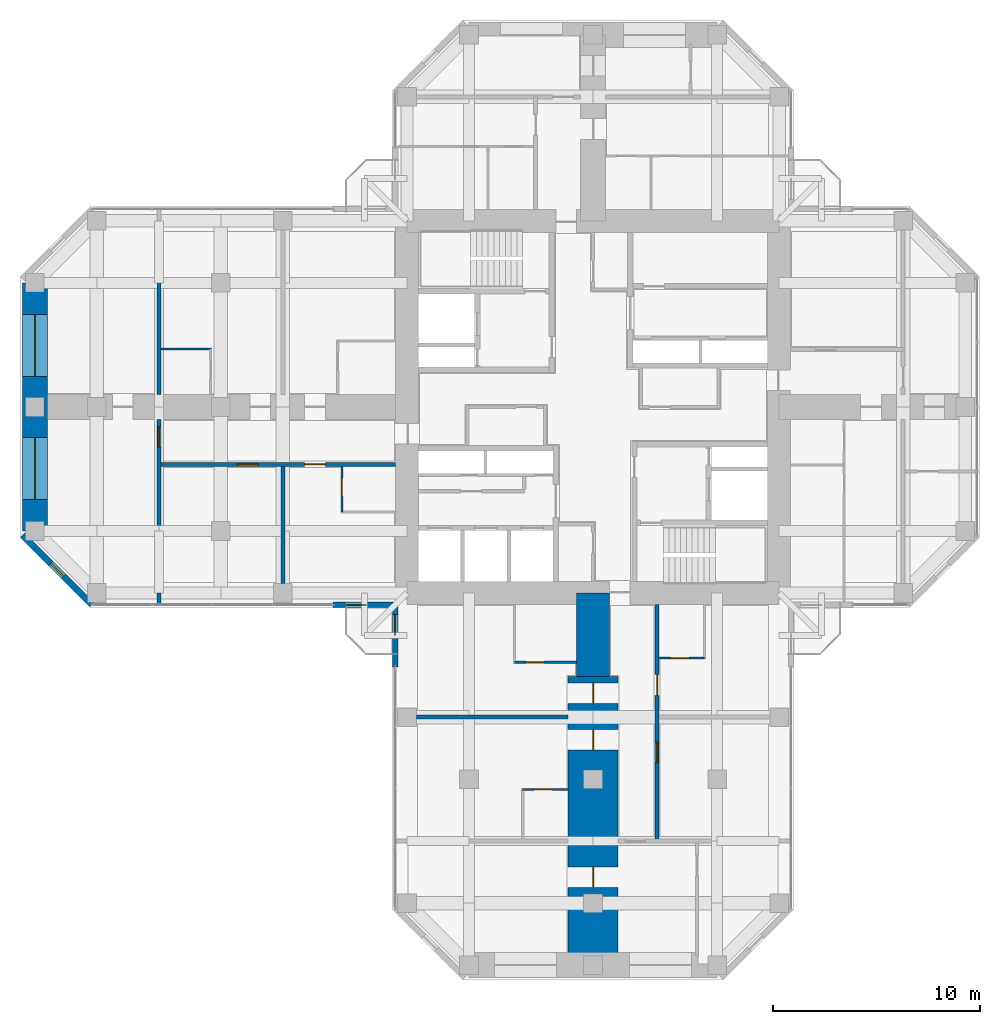
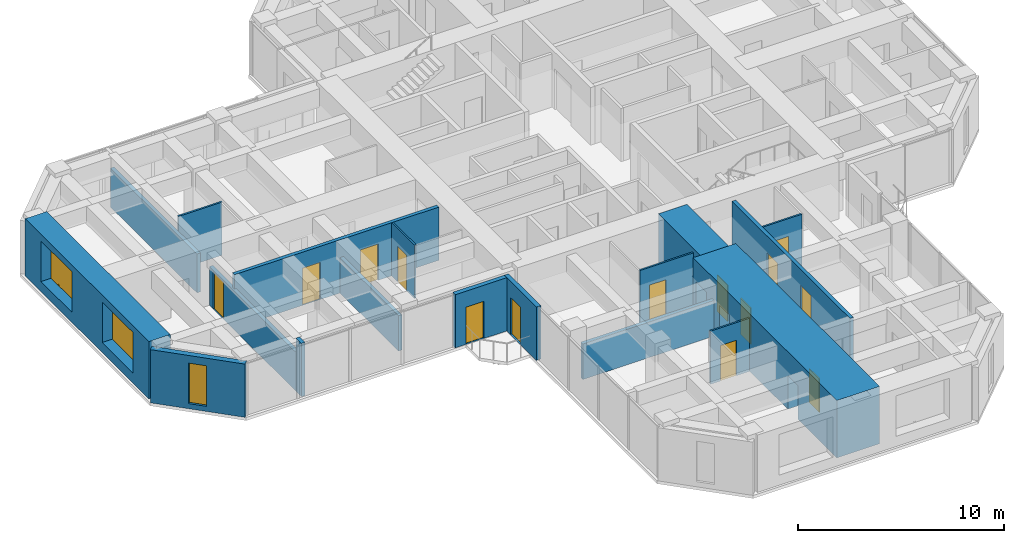
# One storey, part 8 of 14: 18 walls, 14 doors, 3 windows, 17 openings.
"""IFC4 building model written with IfcOpenShell, lengths in metres."""

import ifcopenshell
import ifcopenshell.guid

model = None  # the IFC model being written
_history = None  # IfcOwnerHistory: only IFC2X3 demands one
_inside = {}  # id of a spatial element -> (the spatial element, [elements in it])
_under = {}  # id of a project, library or spatial element -> (it, [spatial elements below it])
_declared = {}  # id of a project -> (the project, [libraries it declares])
_typed = {}  # id of a type object -> (the type object, [elements of that type])
_made_of = {}  # id of a material, layer set ... -> (it, [elements and type objects made of it])


def new_model(schema):
    """Start an empty IFC model of exactly this schema.

    Asked for "IFC4X3", IfcOpenShell would pick the latest addendum, in which some entities
    have other attributes; the version numbers below select the first issue.
    IFC2X3 requires an IfcOwnerHistory on every rooted entity: one is made here for all.
    """
    global model, _history
    if schema == "IFC4X3":
        model = ifcopenshell.file(schema_version=(4, 3, 0, 0))
    else:
        model = ifcopenshell.file(schema=schema)
    _inside.clear()
    _under.clear()
    _declared.clear()
    _typed.clear()
    _made_of.clear()
    _history = None
    if model.schema == "IFC2X3":
        org = make("IfcOrganization", Name="unknown")
        user = make(
            "IfcPersonAndOrganization",
            ThePerson=make("IfcPerson", FamilyName="unknown"),
            TheOrganization=org,
        )
        app = make(
            "IfcApplication",
            ApplicationDeveloper=org,
            Version="unknown",
            ApplicationFullName="unknown",
            ApplicationIdentifier="unknown",
        )
        _history = make(
            "IfcOwnerHistory",
            OwningUser=user,
            OwningApplication=app,
            ChangeAction="ADDED",
            CreationDate=0,
        )
    return model


def make(cls, **values):
    """One entity of the class cls with the attributes given. An attribute that is None is left unset."""
    return model.create_entity(
        cls, **{name: value for name, value in values.items() if value is not None}
    )


def rooted(cls, **values):
    """An entity with a GlobalId (a new one), such as an element, a storey or a relation."""
    return make(cls, GlobalId=ifcopenshell.guid.new(), OwnerHistory=_history, **values)


def si_unit(unit_type, name, prefix=None):
    """IfcSIUnit, for example si_unit("LENGTHUNIT", "METRE", prefix="MILLI")."""
    return make("IfcSIUnit", UnitType=unit_type, Prefix=prefix, Name=name)


def assignment(units):
    """IfcUnitAssignment: the units of a project."""
    return None if units is None else make("IfcUnitAssignment", Units=units)


def point(xyz):
    """IfcCartesianPoint."""
    return None if xyz is None else make("IfcCartesianPoint", Coordinates=xyz)


def direction(xyz):
    """IfcDirection."""
    return None if xyz is None else make("IfcDirection", DirectionRatios=xyz)


def frame(location, z_axis=None, x_axis=None):
    """IfcAxis2Placement3D, a coordinate frame: its origin and axes. An axis left out is left unset."""
    return make(
        "IfcAxis2Placement3D",
        Location=point(location),
        Axis=direction(z_axis),
        RefDirection=direction(x_axis),
    )


def frame_2d(location, x_axis=None):
    """IfcAxis2Placement2D, a coordinate frame in the plane: its origin and x axis."""
    return make(
        "IfcAxis2Placement2D", Location=point(location), RefDirection=direction(x_axis)
    )


def origin():
    """The frame at (0, 0, 0) with its axes left unset."""
    return frame((0.0, 0.0, 0.0))


def place(relative_to, where):
    """IfcLocalPlacement: puts the frame where relative to a parent placement (None: the world)."""
    return make(
        "IfcLocalPlacement", PlacementRelTo=relative_to, RelativePlacement=where
    )


def context(
    kind, dimensions, precision=None, world=None, true_north=None, identifier=None
):
    """IfcGeometricRepresentationContext, for example the 3D "Model" context."""
    return make(
        "IfcGeometricRepresentationContext",
        ContextIdentifier=identifier,
        ContextType=kind,
        CoordinateSpaceDimension=dimensions,
        Precision=precision,
        WorldCoordinateSystem=world,
        TrueNorth=true_north,
    )


def subcontext(parent, identifier, kind, view, scale=None):
    """IfcGeometricRepresentationSubContext, for example "Body" below "Model"."""
    return make(
        "IfcGeometricRepresentationSubContext",
        ContextIdentifier=identifier,
        ContextType=kind,
        ParentContext=parent,
        TargetScale=scale,
        TargetView=view,
    )


def project(units=None, contexts=None):
    """IfcProject with its units and contexts."""
    return rooted(
        "IfcProject",
        Name="project",
        RepresentationContexts=contexts,
        UnitsInContext=assignment(units),
    )


def spatial(cls, under=None, at=None, **own):
    """A site, building, storey or space (cls), placed at a placement, below another one or the project."""
    s = rooted(cls, ObjectPlacement=at, **own)
    if under is not None:
        _under.setdefault(under.id(), (under, []))[1].append(s)
    return s


def profile(cls, at=None, kind="AREA", **sizes):
    """A parametric profile (cls). Its sizes go by their IFC names, for example OverallWidth=200.0."""
    return make(cls, ProfileType=kind, Position=at, **sizes)


def rectangle(**sizes):
    """IfcRectangleProfileDef."""
    return profile("IfcRectangleProfileDef", **sizes)


def hollow_rectangle(**sizes):
    """IfcRectangleHollowProfileDef."""
    return profile("IfcRectangleHollowProfileDef", **sizes)


def extrude(swept, where, along, depth):
    """IfcExtrudedAreaSolid: the profile swept, set in the frame where, extruded along a direction by depth."""
    return make(
        "IfcExtrudedAreaSolid",
        SweptArea=swept,
        Position=where,
        ExtrudedDirection=direction(along),
        Depth=depth,
    )


def shape(context_of_items, identifier, shape_type, items):
    """IfcShapeRepresentation: the items that make up one representation, for example the "Body"."""
    return make(
        "IfcShapeRepresentation",
        ContextOfItems=context_of_items,
        RepresentationIdentifier=identifier,
        RepresentationType=shape_type,
        Items=items,
    )


def material(Name=None, Category=None):
    """IfcMaterial."""
    return make("IfcMaterial", Name=Name, Category=Category)


def layer(
    of_material, thickness, ventilated=None, Name=None, Category=None, Priority=None
):
    """IfcMaterialLayer: one layer of a wall or slab, of a material (None: an air gap)."""
    return make(
        "IfcMaterialLayer",
        Material=of_material,
        LayerThickness=thickness,
        IsVentilated=ventilated,
        Name=Name,
        Category=Category,
        Priority=Priority,
    )


def layer_set(layers, Name=None):
    """IfcMaterialLayerSet."""
    return make("IfcMaterialLayerSet", MaterialLayers=layers, LayerSetName=Name)


def constituent(of_material, Name=None, Category=None, fraction=None):
    """IfcMaterialConstituent: one of the materials an element consists of."""
    return make(
        "IfcMaterialConstituent",
        Name=Name,
        Material=of_material,
        Fraction=fraction,
        Category=Category,
    )


def constituent_set(constituents=None, Name=None):
    """IfcMaterialConstituentSet."""
    return make(
        "IfcMaterialConstituentSet", Name=Name, MaterialConstituents=constituents
    )


def made_of(thing, what):
    """Note that an element or type object is made of a material, layer set ...; save() writes the relation."""
    if what is not None:
        _made_of.setdefault(what.id(), (what, []))[1].append(thing)
    return thing


def type_object(cls, material=None, **own):
    """A type object (cls), such as IfcWallType, which elements share."""
    return made_of(rooted(cls, **own), material)


def element(
    cls,
    number,
    at=None,
    inside=None,
    cuts=None,
    type_object=None,
    material=None,
    context=None,
    identifier="Body",
    shape_type=None,
    held_by="IfcProductDefinitionShape",
    body=None,
    shapes=None,
    **own,
):
    """One element of the class cls, such as IfcWall. Its Tag is "e" and its number.

    at: its placement. inside: the storey or other place that contains it. cuts: it is an
    opening in that element (IfcRelVoidsElement). A single representation is given by context,
    identifier, shape_type and body (its items); several are given by shapes. held_by: the class
    of the entity that holds the representations. save() writes the other relations.
    """
    e = rooted(cls, Tag="e%d" % number, ObjectPlacement=at, **own)
    if body is not None:
        shapes = [shape(context, identifier, shape_type, body)]
    if shapes is not None:
        e.Representation = make(held_by, Representations=shapes)
    if inside is not None:
        _inside.setdefault(inside.id(), (inside, []))[1].append(e)
    if cuts is not None:
        rooted(
            "IfcRelVoidsElement", RelatingBuildingElement=cuts, RelatedOpeningElement=e
        )
    if type_object is not None:
        _typed.setdefault(type_object.id(), (type_object, []))[1].append(e)
    return made_of(e, material)


def fill(opening, filler):
    """IfcRelFillsElement: the door or window that sits in an opening."""
    return rooted(
        "IfcRelFillsElement",
        RelatingOpeningElement=opening,
        RelatedBuildingElement=filler,
    )


def aggregate(whole, parts):
    """IfcRelAggregates: a whole, such as a stair, and the parts it consists of."""
    return rooted("IfcRelAggregates", RelatingObject=whole, RelatedObjects=parts)


def save(model, path):
    """Write the relations noted so far, then the file.

    IfcRelAggregates (storeys below a building ...), IfcRelContainedInSpatialStructure (elements
    in a storey), IfcRelDefinesByType, IfcRelAssociatesMaterial and IfcRelDeclares: one each for
    every whole, place, type object, material and project.
    """
    for whole, parts in _under.values():
        aggregate(whole, parts)
    for where, things in _inside.values():
        rooted(
            "IfcRelContainedInSpatialStructure",
            RelatedElements=things,
            RelatingStructure=where,
        )
    for kind, things in _typed.values():
        rooted("IfcRelDefinesByType", RelatedObjects=things, RelatingType=kind)
    for what, things in _made_of.values():
        rooted("IfcRelAssociatesMaterial", RelatedObjects=things, RelatingMaterial=what)
    for by, libraries in _declared.values():
        rooted("IfcRelDeclares", RelatingContext=by, RelatedDefinitions=libraries)
    model.write(path)


model = new_model("IFC4")

# Units and contexts
model_context = context("Model", 3, precision=1e-05, world=origin(), true_north=direction((0.0, 1.0)))
body_context = subcontext(model_context, "Body", "Model", "MODEL_VIEW")
ifc_project = project(units=[si_unit("LENGTHUNIT", "METRE"), si_unit("AREAUNIT", "SQUARE_METRE"), si_unit("VOLUMEUNIT", "CUBIC_METRE"), si_unit("PLANEANGLEUNIT", "RADIAN"), si_unit("MASSUNIT", "GRAM", prefix="KILO")], contexts=[model_context])

# Site, building, storey
site_placement = place(None, origin())
site = spatial("IfcSite", under=ifc_project, at=site_placement, CompositionType="ELEMENT")
building_placement = place(site_placement, origin())
building = spatial("IfcBuilding", under=site, at=building_placement, Name="Torre Cruceta", CompositionType="ELEMENT")
storey_placement = place(building_placement, frame((0.0, 0.0, 213.699951171875)))
storey = spatial("IfcBuildingStorey", under=building, at=storey_placement, Name="L54", CompositionType="ELEMENT", Elevation=213.699951171875)

# Wall, opening, door
ifc_material_1 = material(Name="Water-resistant plasterboard on steel studs", Category="steel")
ifc_layer_1 = layer(ifc_material_1, 0.10009765625)
ifc_layer_set_1 = layer_set([ifc_layer_1], Name="Water-resistant plasterboard on steel studs")
wall_type_1 = type_object("IfcWallType", Name="BATHROOM WALL 100", PredefinedType="PARTITIONING", material=ifc_layer_set_1)
wall_1_placement = place(storey_placement, frame((3.199951171875, -12.14990234375, 0.0), z_axis=(0.0, 0.0, 1.0), x_axis=(1.0, 0.0, 0.0)))
wall_1 = element("IfcWall", 1, at=wall_1_placement, inside=storey, type_object=wall_type_1, Name="PT4 L54-S-U1LBS", PredefinedType="PARTITIONING", context=body_context, shape_type="SweptSolid", body=[
    extrude(rectangle(XDim=2.199951171875, YDim=0.10009765625, at=frame_2d((1.10009765625, 0.0))), origin(), (0.0, 0.0, 1.0), 3.150146484375),
])
opening_1_placement = place(wall_1_placement, frame((0.550048828125, 0.0, 0.0)))
opening_1 = element("IfcOpeningElement", 2, at=opening_1_placement, cuts=wall_1, Name="Opening D7", PredefinedType="OPENING", context=body_context, shape_type="SweptSolid", body=[
    extrude(rectangle(XDim=0.89990234375, YDim=2.10009765625, at=frame_2d((0.449951171875, 1.050048828125))), frame((0.0, 0.06005859375, 0.0), z_axis=(0.0, -1.0, 0.0), x_axis=(1.0, 0.0, 0.0)), (0.0, 0.0, 1.0), 0.1201171875),
])
ifc_material_2 = material(Name="Timber door", Category="wood")
door_type_1 = type_object("IfcDoorType", Name="BATHROOM DOOR 900X2100", OperationType="SINGLE_SWING_LEFT", PredefinedType="DOOR", material=ifc_material_2)
door_1_placement = place(opening_1_placement, origin())
door_1 = element("IfcDoor", 3, at=door_1_placement, inside=storey, type_object=door_type_1, Name="D7 L54-S-U1LBS-D1", OperationType="SINGLE_SWING_LEFT", OverallHeight=2.10009765625, OverallWidth=0.89990234375, PredefinedType="DOOR", context=body_context, shape_type="SweptSolid", body=[
    extrude(rectangle(XDim=0.89990234375, YDim=2.10009765625, at=frame_2d((0.449951171875, 1.050048828125))), frame((0.0, 0.02490234375, 0.0), z_axis=(0.0, -1.0, 0.0), x_axis=(1.0, 0.0, 0.0)), (0.0, 0.0, 1.0), 0.050048828125),
])
fill(opening_1, door_1)

wall_2_placement = place(storey_placement, frame((-3.800048828125, -12.35009765625, 0.0), z_axis=(0.0, 0.0, 1.0), x_axis=(1.0, 0.0, 0.0)))
wall_2 = element("IfcWall", 4, at=wall_2_placement, inside=storey, type_object=wall_type_1, Name="PT4 L54-S-U1RBS", PredefinedType="PARTITIONING", context=body_context, shape_type="SweptSolid", body=[
    extrude(rectangle(XDim=3.0, YDim=0.10009765625, at=frame_2d((1.5, 0.0))), origin(), (0.0, 0.0, 1.0), 3.150146484375),
])
opening_2_placement = place(wall_2_placement, frame((0.550048828125, 0.0, 0.0)))
opening_2 = element("IfcOpeningElement", 5, at=opening_2_placement, cuts=wall_2, Name="Opening D7", PredefinedType="OPENING", context=body_context, shape_type="SweptSolid", body=[
    extrude(rectangle(XDim=0.89990234375, YDim=2.10009765625, at=frame_2d((0.449951171875, 1.050048828125))), frame((0.0, 0.06005859375, 0.0), z_axis=(0.0, -1.0, 0.0), x_axis=(1.0, 0.0, 0.0)), (0.0, 0.0, 1.0), 0.1201171875),
])
door_2_placement = place(opening_2_placement, origin())
door_2 = element("IfcDoor", 6, at=door_2_placement, inside=storey, type_object=door_type_1, Name="D7 L54-S-U1RBS-D1", OperationType="SINGLE_SWING_LEFT", OverallHeight=2.10009765625, OverallWidth=0.89990234375, PredefinedType="DOOR", context=body_context, shape_type="SweptSolid", body=[
    extrude(rectangle(XDim=0.89990234375, YDim=2.10009765625, at=frame_2d((0.449951171875, 1.050048828125))), frame((0.0, 0.02490234375, 0.0), z_axis=(0.0, -1.0, 0.0), x_axis=(1.0, 0.0, 0.0)), (0.0, 0.0, 1.0), 0.050048828125),
])
fill(opening_2, door_2)

wall_3_placement = place(storey_placement, frame((-3.39990234375, -18.5, 0.0), z_axis=(0.0, 0.0, 1.0), x_axis=(1.0, 0.0, 0.0)))
wall_3 = element("IfcWall", 7, at=wall_3_placement, inside=storey, type_object=wall_type_1, Name="PT4 L54-S-U2RBS", PredefinedType="PARTITIONING", context=body_context, shape_type="SweptSolid", body=[
    extrude(rectangle(XDim=2.199951171875, YDim=0.10009765625, at=frame_2d((1.10009765625, 0.0))), origin(), (0.0, 0.0, 1.0), 3.150146484375),
])
opening_3_placement = place(wall_3_placement, frame((0.550048828125, 0.0, 0.0)))
opening_3 = element("IfcOpeningElement", 8, at=opening_3_placement, cuts=wall_3, Name="Opening D7", PredefinedType="OPENING", context=body_context, shape_type="SweptSolid", body=[
    extrude(rectangle(XDim=0.89990234375, YDim=2.10009765625, at=frame_2d((0.449951171875, 1.050048828125))), frame((0.0, 0.06005859375, 0.0), z_axis=(0.0, -1.0, 0.0), x_axis=(1.0, 0.0, 0.0)), (0.0, 0.0, 1.0), 0.1201171875),
])
door_3_placement = place(opening_3_placement, frame((0.89990234375, 0.0, 0.0), z_axis=(0.0, 0.0, 1.0), x_axis=(-1.0, 0.0, 0.0)))
door_3 = element("IfcDoor", 9, at=door_3_placement, inside=storey, type_object=door_type_1, Name="D7 L54-S-U2RBS-D1", OperationType="SINGLE_SWING_RIGHT", OverallHeight=2.10009765625, OverallWidth=0.89990234375, PredefinedType="DOOR", context=body_context, shape_type="SweptSolid", body=[
    extrude(rectangle(XDim=0.89990234375, YDim=2.10009765625, at=frame_2d((0.449951171875, 1.050048828125))), frame((0.0, 0.025146484375, 0.0), z_axis=(0.0, -1.0, 0.0), x_axis=(1.0, 0.0, 0.0)), (0.0, 0.0, 1.0), 0.050048828125),
])
fill(opening_3, door_3)

wall_4_placement = place(storey_placement, frame((-12.14990234375, -2.875, 0.0), z_axis=(0.0, 0.0, 1.0), x_axis=(0.0, -1.0, 0.0)))
wall_4 = element("IfcWall", 10, at=wall_4_placement, inside=storey, type_object=wall_type_1, Name="PT4 L54-W-U1LBS", PredefinedType="PARTITIONING", context=body_context, shape_type="SweptSolid", body=[
    extrude(rectangle(XDim=2.199951171875, YDim=0.10009765625, at=frame_2d((1.10009765625, 0.0))), origin(), (0.0, 0.0, 1.0), 3.150146484375),
])
opening_4_placement = place(wall_4_placement, frame((0.550048828125, 0.0, 0.0)))
opening_4 = element("IfcOpeningElement", 11, at=opening_4_placement, cuts=wall_4, Name="Opening D7", PredefinedType="OPENING", context=body_context, shape_type="SweptSolid", body=[
    extrude(rectangle(XDim=0.89990234375, YDim=2.10009765625, at=frame_2d((0.449951171875, 1.050048828125))), frame((0.0, 0.06005859375, 0.0), z_axis=(0.0, -1.0, 0.0), x_axis=(1.0, 0.0, 0.0)), (0.0, 0.0, 1.0), 0.1201171875),
])
door_4_placement = place(opening_4_placement, origin())
door_4 = element("IfcDoor", 12, at=door_4_placement, inside=storey, type_object=door_type_1, Name="D7 L54-W-U1LBS-D1", OperationType="SINGLE_SWING_LEFT", OverallHeight=2.10009765625, OverallWidth=0.89990234375, PredefinedType="DOOR", context=body_context, shape_type="SweptSolid", body=[
    extrude(rectangle(XDim=0.89990234375, YDim=2.10009765625, at=frame_2d((0.449951171875, 1.050048828125))), frame((0.0, 0.02490234375, 0.0), z_axis=(0.0, -1.0, 0.0), x_axis=(1.0, 0.0, 0.0)), (0.0, 0.0, 1.0), 0.050048828125),
])
fill(opening_4, door_4)

# Wall
wall_5_placement = place(storey_placement, frame((-18.449951171875, 2.800048828125, 0.0), z_axis=(0.0, 0.0, 1.0), x_axis=(-1.0, 0.0, 0.0)))
element("IfcWall", 13, at=wall_5_placement, inside=storey, type_object=wall_type_1, Name="PT4 L54-W-U2RBB", PredefinedType="PARTITIONING", context=body_context, shape_type="SweptSolid", body=[
    extrude(rectangle(XDim=2.449951171875, YDim=0.10009765625, at=frame_2d((1.22509765625, 0.0))), origin(), (0.0, 0.0, 1.0), 3.150146484375),
])

# Wall, openings, doors
ifc_material_3 = material(Name="Concrete G25 (fck 25 MPa)", Category="concrete")
ifc_layer_2 = layer(ifc_material_3, 0.199951171875)
ifc_layer_set_2 = layer_set([ifc_layer_2], Name="Concrete G25 (fck 25 MPa)")
wall_type_2 = type_object("IfcWallType", Name="CORRIDOR WALL 200", PredefinedType="SOLIDWALL", material=ifc_layer_set_2)
wall_6_placement = place(storey_placement, frame((3.10009765625, -9.550048828125, 0.0), z_axis=(0.0, 0.0, 1.0), x_axis=(0.0, -1.0, 0.0)))
wall_6 = element("IfcWall", 14, at=wall_6_placement, inside=storey, type_object=wall_type_2, Name="PT3 L54-S-CL", PredefinedType="SOLIDWALL", context=body_context, shape_type="SweptSolid", body=[
    extrude(rectangle(XDim=11.449951171875, YDim=0.199951171875, at=frame_2d((5.72509765625, 0.0))), origin(), (0.0, 0.0, 1.0), 3.150146484375),
])
opening_5_placement = place(wall_6_placement, frame((3.39990234375, 0.0, 0.0)))
opening_5 = element("IfcOpeningElement", 15, at=opening_5_placement, cuts=wall_6, Name="Opening D6", PredefinedType="OPENING", context=body_context, shape_type="SweptSolid", body=[
    extrude(rectangle(XDim=1.0, YDim=2.14990234375, at=frame_2d((0.5, 1.074951171875))), frame((0.0, 0.10986328125, 0.0), z_axis=(0.0, -1.0, 0.0), x_axis=(1.0, 0.0, 0.0)), (0.0, 0.0, 1.0), 0.219970703125),
])
opening_6_placement = place(wall_6_placement, frame((6.64990234375, 0.0, 0.0)))
opening_6 = element("IfcOpeningElement", 16, at=opening_6_placement, cuts=wall_6, Name="Opening D14", PredefinedType="OPENING", context=body_context, shape_type="SweptSolid", body=[
    extrude(rectangle(XDim=1.0, YDim=2.199951171875, at=frame_2d((0.5, 1.10009765625))), frame((0.0, 0.10986328125, 0.0), z_axis=(0.0, -1.0, 0.0), x_axis=(1.0, 0.0, 0.0)), (0.0, 0.0, 1.0), 0.219970703125),
])
ifc_material_4 = material(Name="Steel DX51D", Category="steel")
ifc_constituent_1 = constituent(ifc_material_4, Name="Leaf and frame")
ifc_material_5 = material(Name="Polyester powder coating", Category="paint")
ifc_constituent_2 = constituent(ifc_material_5, Name="Finish")
ifc_material_6 = material(Name="Fire-resisting glass", Category="glass")
ifc_constituent_3 = constituent(ifc_material_6, Name="Vision panel")
ifc_constituent_set_1 = constituent_set(constituents=[ifc_constituent_1, ifc_constituent_2, ifc_constituent_3], Name="Steel fire door with vision panel")
door_type_2 = type_object("IfcDoorType", Name="FIRE DOOR VISION PANEL 1000X2200", OperationType="SINGLE_SWING_RIGHT", PredefinedType="DOOR", material=ifc_constituent_set_1)
door_5_placement = place(opening_6_placement, origin())
door_5 = element("IfcDoor", 17, at=door_5_placement, inside=storey, type_object=door_type_2, Name="D14 L54-S-CL-D2", OperationType="SINGLE_SWING_LEFT", OverallHeight=2.199951171875, OverallWidth=1.0, PredefinedType="DOOR", context=body_context, shape_type="SweptSolid", body=[
    extrude(rectangle(XDim=1.0, YDim=2.199951171875, at=frame_2d((0.5, 1.10009765625))), frame((0.0, 0.02490234375, 0.0), z_axis=(0.0, -1.0, 0.0), x_axis=(1.0, 0.0, 0.0)), (0.0, 0.0, 1.0), 0.050048828125),
])
fill(opening_6, door_5)
ifc_material_7 = material(Name="Timber fire door", Category="wood")
door_type_3 = type_object("IfcDoorType", Name="UNIT ENTRANCE DOOR 1000X2150", OperationType="SINGLE_SWING_LEFT", PredefinedType="DOOR", material=ifc_material_7)
door_6_placement = place(opening_5_placement, origin())
door_6 = element("IfcDoor", 18, at=door_6_placement, inside=storey, type_object=door_type_3, Name="D6 L54-S-CL-D1", OperationType="SINGLE_SWING_LEFT", OverallHeight=2.14990234375, OverallWidth=1.0, PredefinedType="DOOR", context=body_context, shape_type="SweptSolid", body=[
    extrude(rectangle(XDim=1.0, YDim=2.14990234375, at=frame_2d((0.5, 1.074951171875))), frame((0.0, 0.02490234375, 0.0), z_axis=(0.0, -1.0, 0.0), x_axis=(1.0, 0.0, 0.0)), (0.0, 0.0, 1.0), 0.050048828125),
])
fill(opening_5, door_6)

wall_7_placement = place(storey_placement, frame((-9.550048828125, -2.77490234375, 0.0), z_axis=(0.0, 0.0, 1.0), x_axis=(-1.0, 0.0, 0.0)))
wall_7 = element("IfcWall", 19, at=wall_7_placement, inside=storey, type_object=wall_type_2, Name="PT3 L54-W-CL", PredefinedType="SOLIDWALL", context=body_context, shape_type="SweptSolid", body=[
    extrude(rectangle(XDim=11.449951171875, YDim=0.199951171875, at=frame_2d((5.72509765625, 0.0))), origin(), (0.0, 0.0, 1.0), 3.150146484375),
])
opening_7_placement = place(wall_7_placement, frame((3.39990234375, 0.0, 0.0)))
opening_7 = element("IfcOpeningElement", 20, at=opening_7_placement, cuts=wall_7, Name="Opening D6", PredefinedType="OPENING", context=body_context, shape_type="SweptSolid", body=[
    extrude(rectangle(XDim=1.0, YDim=2.14990234375, at=frame_2d((0.5, 1.074951171875))), frame((0.0, 0.10986328125, 0.0), z_axis=(0.0, -1.0, 0.0), x_axis=(1.0, 0.0, 0.0)), (0.0, 0.0, 1.0), 0.219970703125),
])
opening_8_placement = place(wall_7_placement, frame((6.64990234375, 0.0, 0.0)))
opening_8 = element("IfcOpeningElement", 21, at=opening_8_placement, cuts=wall_7, Name="Opening D14", PredefinedType="OPENING", context=body_context, shape_type="SweptSolid", body=[
    extrude(rectangle(XDim=1.0, YDim=2.199951171875, at=frame_2d((0.5, 1.10009765625))), frame((0.0, 0.10986328125, 0.0), z_axis=(0.0, -1.0, 0.0), x_axis=(1.0, 0.0, 0.0)), (0.0, 0.0, 1.0), 0.219970703125),
])
door_7_placement = place(opening_8_placement, origin())
door_7 = element("IfcDoor", 22, at=door_7_placement, inside=storey, type_object=door_type_2, Name="D14 L54-W-CL-D2", OperationType="SINGLE_SWING_LEFT", OverallHeight=2.199951171875, OverallWidth=1.0, PredefinedType="DOOR", context=body_context, shape_type="SweptSolid", body=[
    extrude(rectangle(XDim=1.0, YDim=2.199951171875, at=frame_2d((0.5, 1.10009765625))), frame((0.0, 0.02490234375, 0.0), z_axis=(0.0, -1.0, 0.0), x_axis=(1.0, 0.0, 0.0)), (0.0, 0.0, 1.0), 0.050048828125),
])
fill(opening_8, door_7)
door_8_placement = place(opening_7_placement, origin())
door_8 = element("IfcDoor", 23, at=door_8_placement, inside=storey, type_object=door_type_3, Name="D6 L54-W-CL-D1", OperationType="SINGLE_SWING_LEFT", OverallHeight=2.14990234375, OverallWidth=1.0, PredefinedType="DOOR", context=body_context, shape_type="SweptSolid", body=[
    extrude(rectangle(XDim=1.0, YDim=2.14990234375, at=frame_2d((0.5, 1.074951171875))), frame((0.0, 0.02490234375, 0.0), z_axis=(0.0, -1.0, 0.0), x_axis=(1.0, 0.0, 0.0)), (0.0, 0.0, 1.0), 0.050048828125),
])
fill(opening_7, door_8)

# Wall, opening, window
ifc_material_8 = material(Name="Concrete G30 (fck 30 MPa)", Category="concrete")
ifc_layer_3 = layer(ifc_material_8, 0.300048828125)
ifc_layer_set_3 = layer_set([ifc_layer_3], Name="Concrete G30 (fck 30 MPa)")
wall_type_3 = type_object("IfcWallType", Name="EXPOSED CONCRETE FACADE WALL 300", PredefinedType="SOLIDWALL", material=ifc_layer_set_3)
wall_8_placement = place(storey_placement, frame((-27.60009765625, -6.2060546875, 0.0), z_axis=(0.0, 0.0, 1.0), x_axis=(0.707106781187, -0.707106781187, 0.0)))
wall_8 = element("IfcWall", 24, at=wall_8_placement, inside=storey, type_object=wall_type_3, Name="EW1 facade wall L54 W chamfer 13", PredefinedType="SOLIDWALL", context=body_context, shape_type="SweptSolid", body=[
    extrude(rectangle(XDim=4.75732421875, YDim=0.300048828125, at=frame_2d((2.378662109375, 0.0))), origin(), (0.0, 0.0, 1.0), 3.150146484375),
])
opening_9_placement = place(wall_8_placement, frame((1.9287109375, 0.0, 0.300048828125)))
opening_9 = element("IfcOpeningElement", 25, at=opening_9_placement, cuts=wall_8, Name="Opening WN5", PredefinedType="OPENING", context=body_context, shape_type="SweptSolid", body=[
    extrude(rectangle(XDim=0.89990234375, YDim=2.39990234375, at=frame_2d((0.449951171875, 1.199951171875))), frame((0.0, 0.159912109375, 0.0), z_axis=(0.0, -1.0, 0.0), x_axis=(1.0, 0.0, 0.0)), (0.0, 0.0, 1.0), 0.320068359375),
])
ifc_material_9 = material(Name="Aluminium window frame", Category="aluminium")
ifc_constituent_4 = constituent(ifc_material_9, Name="Frame")
ifc_material_10 = material(Name="Laminated insulating glass unit, low-iron clear", Category="glass")
ifc_constituent_5 = constituent(ifc_material_10, Name="Glazing")
ifc_constituent_set_2 = constituent_set(constituents=[ifc_constituent_4, ifc_constituent_5], Name="Aluminium window")
window_type_1 = type_object("IfcWindowType", Name="CHAMFER SLOT WINDOW 900X2400", PartitioningType="SINGLE_PANEL", PredefinedType="WINDOW", material=ifc_constituent_set_2)
window_1_placement = place(opening_9_placement, origin())
window_1 = element("IfcWindow", 26, at=window_1_placement, inside=storey, type_object=window_type_1, Name="WN5 L54 W 1", OverallHeight=2.39990234375, OverallWidth=0.89990234375, PartitioningType="SINGLE_PANEL", PredefinedType="WINDOW", context=body_context, shape_type="SweptSolid", body=[
    extrude(hollow_rectangle(XDim=0.89990234375, YDim=2.39990234375, WallThickness=0.06005859375, at=frame_2d((0.449951171875, 1.199951171875))), frame((0.0, 0.030029296875, 0.0), z_axis=(0.0, -1.0, 0.0), x_axis=(1.0, 0.0, 0.0)), (0.0, 0.0, 1.0), 0.06005859375),
    extrude(rectangle(XDim=0.77880859375, YDim=2.27880859375, at=frame_2d((0.449951171875, 1.199951171875))), frame((0.0, 0.030029296875, 0.0), z_axis=(0.0, -1.0, 0.0), x_axis=(1.0, 0.0, 0.0)), (0.0, 0.0, 1.0), 0.06005859375),
])
fill(opening_9, window_1)

# Wall, openings, windows
ifc_material_11 = material(Name="Concrete G60 (fck 60 MPa)", Category="concrete")
ifc_layer_4 = layer(ifc_material_11, 1.199951171875)
ifc_layer_set_4 = layer_set([ifc_layer_4], Name="Concrete G60 (fck 60 MPa)")
wall_type_4 = type_object("IfcWallType", Name="NOSE WALL 1200 G60", PredefinedType="SHEAR", material=ifc_layer_set_4)
wall_9_placement = place(storey_placement, frame((-27.0, 6.0, 0.0), z_axis=(0.0, 0.0, 1.0), x_axis=(0.0, -1.0, 0.0)))
wall_9 = element("IfcWall", 27, at=wall_9_placement, inside=storey, type_object=wall_type_4, Name="NW1 nose wall L54 W", PredefinedType="SHEAR", context=body_context, shape_type="SweptSolid", body=[
    extrude(rectangle(XDim=12.0, YDim=1.199951171875, at=frame_2d((6.0, 0.0))), origin(), (0.0, 0.0, 1.0), 3.400146484375),
])
opening_10_placement = place(wall_9_placement, frame((1.52490234375, 0.0, 0.60009765625)))
opening_10 = element("IfcOpeningElement", 28, at=opening_10_placement, cuts=wall_9, Name="Opening WN6", PredefinedType="OPENING", context=body_context, shape_type="SweptSolid", body=[
    extrude(rectangle(XDim=3.0, YDim=2.39990234375, at=frame_2d((1.5, 1.199951171875))), frame((0.0, 0.60986328125, 0.0), z_axis=(0.0, -1.0, 0.0), x_axis=(1.0, 0.0, 0.0)), (0.0, 0.0, 1.0), 1.219970703125),
])
opening_11_placement = place(wall_9_placement, frame((7.47509765625, 0.0, 0.60009765625)))
opening_11 = element("IfcOpeningElement", 29, at=opening_11_placement, cuts=wall_9, Name="Opening WN6", PredefinedType="OPENING", context=body_context, shape_type="SweptSolid", body=[
    extrude(rectangle(XDim=3.0, YDim=2.39990234375, at=frame_2d((1.5, 1.199951171875))), frame((0.0, 0.60986328125, 0.0), z_axis=(0.0, -1.0, 0.0), x_axis=(1.0, 0.0, 0.0)), (0.0, 0.0, 1.0), 1.219970703125),
])
ifc_material_12 = material(Name="Aluminium window frame", Category="aluminium")
ifc_constituent_6 = constituent(ifc_material_12, Name="Frame")
ifc_material_13 = material(Name="Laminated insulating glass unit, low-iron clear", Category="glass")
ifc_constituent_7 = constituent(ifc_material_13, Name="Glazing")
ifc_constituent_set_3 = constituent_set(constituents=[ifc_constituent_6, ifc_constituent_7], Name="Aluminium window")
window_type_2 = type_object("IfcWindowType", Name="NOSE WALL WINDOW 3000X2400", PartitioningType="SINGLE_PANEL", PredefinedType="WINDOW", material=ifc_constituent_set_3)
window_2_placement = place(opening_10_placement, origin())
window_2 = element("IfcWindow", 30, at=window_2_placement, inside=storey, type_object=window_type_2, Name="WN6 L54 W 1", OverallHeight=2.39990234375, OverallWidth=3.0, PartitioningType="SINGLE_PANEL", PredefinedType="WINDOW", context=body_context, shape_type="SweptSolid", body=[
    extrude(hollow_rectangle(XDim=3.0, YDim=2.39990234375, WallThickness=0.06005859375, at=frame_2d((1.5, 1.199951171875))), frame((0.0, 0.030029296875, 0.0), z_axis=(0.0, -1.0, 0.0), x_axis=(1.0, 0.0, 0.0)), (0.0, 0.0, 1.0), 0.06005859375),
    extrude(rectangle(XDim=2.87890625, YDim=2.27880859375, at=frame_2d((1.5, 1.199951171875))), frame((0.0, 0.030029296875, 0.0), z_axis=(0.0, -1.0, 0.0), x_axis=(1.0, 0.0, 0.0)), (0.0, 0.0, 1.0), 0.06005859375),
])
fill(opening_10, window_2)
window_3_placement = place(opening_11_placement, origin())
window_3 = element("IfcWindow", 31, at=window_3_placement, inside=storey, type_object=window_type_2, Name="WN6 L54 W 2", OverallHeight=2.39990234375, OverallWidth=3.0, PartitioningType="SINGLE_PANEL", PredefinedType="WINDOW", context=body_context, shape_type="SweptSolid", body=[
    extrude(hollow_rectangle(XDim=3.0, YDim=2.39990234375, WallThickness=0.06005859375, at=frame_2d((1.5, 1.199951171875))), frame((0.0, 0.030029296875, 0.0), z_axis=(0.0, -1.0, 0.0), x_axis=(1.0, 0.0, 0.0)), (0.0, 0.0, 1.0), 0.06005859375),
    extrude(rectangle(XDim=2.87890625, YDim=2.27880859375, at=frame_2d((1.5, 1.199951171875))), frame((0.0, 0.030029296875, 0.0), z_axis=(0.0, -1.0, 0.0), x_axis=(1.0, 0.0, 0.0)), (0.0, 0.0, 1.0), 0.06005859375),
])
fill(opening_11, window_3)

# Wall
ifc_material_14 = material(Name="Concrete G60 (fck 60 MPa)", Category="concrete")
ifc_layer_5 = layer(ifc_material_14, 1.60009765625)
ifc_layer_set_5 = layer_set([ifc_layer_5], Name="Concrete G60 (fck 60 MPa)")
wall_type_5 = type_object("IfcWallType", Name="SPINE WALL 1600 G60", PredefinedType="SHEAR", material=ifc_layer_set_5)
wall_10_placement = place(storey_placement, frame((0.0, -9.0, 0.0), z_axis=(0.0, 0.0, 1.0), x_axis=(0.0, -1.0, 0.0)))
element("IfcWall", 32, at=wall_10_placement, inside=storey, type_object=wall_type_5, Name="SW2 spine wall root L54 S", PredefinedType="SHEAR", context=body_context, shape_type="SweptSolid", body=[
    extrude(rectangle(XDim=4.050048828125, YDim=1.60009765625, at=frame_2d((2.02490234375, 0.0))), origin(), (0.0, 0.0, 1.0), 3.400146484375),
])

# Wall, openings, doors
ifc_material_15 = material(Name="Concrete G60 (fck 60 MPa)", Category="concrete")
ifc_layer_6 = layer(ifc_material_15, 2.39990234375)
ifc_layer_set_6 = layer_set([ifc_layer_6], Name="Concrete G60 (fck 60 MPa)")
wall_type_6 = type_object("IfcWallType", Name="SPINE WALL 2400 G60", PredefinedType="SHEAR", material=ifc_layer_set_6)
wall_11_placement = place(storey_placement, frame((0.0, -13.050048828125, 0.0), z_axis=(0.0, 0.0, 1.0), x_axis=(0.0, -1.0, 0.0)))
wall_11 = element("IfcWall", 33, at=wall_11_placement, inside=storey, type_object=wall_type_6, Name="SW0 spine wall L54 S", PredefinedType="SHEAR", context=body_context, shape_type="SweptSolid", body=[
    extrude(rectangle(XDim=13.949951171875, YDim=2.39990234375, at=frame_2d((6.97509765625, 0.0))), origin(), (0.0, 0.0, 1.0), 3.400146484375),
])
opening_12_placement = place(wall_11_placement, frame((0.300048828125, 0.0, 0.0)))
opening_12 = element("IfcOpeningElement", 34, at=opening_12_placement, cuts=wall_11, Name="Opening D6", PredefinedType="OPENING", context=body_context, shape_type="SweptSolid", body=[
    extrude(rectangle(XDim=1.0, YDim=2.14990234375, at=frame_2d((0.5, 1.074951171875))), frame((0.0, 1.2099609375, 0.0), z_axis=(0.0, -1.0, 0.0), x_axis=(1.0, 0.0, 0.0)), (0.0, 0.0, 1.0), 2.419921875),
])
opening_13_placement = place(wall_11_placement, frame((2.550048828125, 0.0, 0.0)))
opening_13 = element("IfcOpeningElement", 35, at=opening_13_placement, cuts=wall_11, Name="Opening D6", PredefinedType="OPENING", context=body_context, shape_type="SweptSolid", body=[
    extrude(rectangle(XDim=1.0, YDim=2.14990234375, at=frame_2d((0.5, 1.074951171875))), frame((0.0, 1.2099609375, 0.0), z_axis=(0.0, -1.0, 0.0), x_axis=(1.0, 0.0, 0.0)), (0.0, 0.0, 1.0), 2.419921875),
])
opening_14_placement = place(wall_11_placement, frame((9.199951171875, 0.0, 0.0)))
opening_14 = element("IfcOpeningElement", 36, at=opening_14_placement, cuts=wall_11, Name="Opening D16", PredefinedType="OPENING", context=body_context, shape_type="SweptSolid", body=[
    extrude(rectangle(XDim=1.0, YDim=2.0, at=frame_2d((0.5, 1.0))), frame((0.0, 1.2099609375, 0.0), z_axis=(0.0, -1.0, 0.0), x_axis=(1.0, 0.0, 0.0)), (0.0, 0.0, 1.0), 2.419921875),
])
ifc_material_16 = material(Name="Steel DX51D", Category="steel")
ifc_constituent_8 = constituent(ifc_material_16, Name="Leaf and frame")
ifc_material_17 = material(Name="Polyester powder coating", Category="paint")
ifc_constituent_9 = constituent(ifc_material_17, Name="Finish")
ifc_material_18 = material(Name="Fire-resisting glass", Category="glass")
ifc_constituent_10 = constituent(ifc_material_18, Name="Vision panel")
ifc_constituent_set_4 = constituent_set(constituents=[ifc_constituent_8, ifc_constituent_9, ifc_constituent_10], Name="Steel fire door with vision panel")
door_type_4 = type_object("IfcDoorType", Name="FIRE DOOR VISION PANEL 1000X2000", OperationType="SINGLE_SWING_RIGHT", PredefinedType="DOOR", material=ifc_constituent_set_4)
door_9_placement = place(opening_14_placement, origin())
door_9 = element("IfcDoor", 37, at=door_9_placement, inside=storey, type_object=door_type_4, Name="D16 L54-S-SP3", OperationType="SINGLE_SWING_LEFT", OverallHeight=2.0, OverallWidth=1.0, PredefinedType="DOOR", context=body_context, shape_type="SweptSolid", body=[
    extrude(rectangle(XDim=1.0, YDim=2.0, at=frame_2d((0.5, 1.0))), frame((0.0, 0.02490234375, 0.0), z_axis=(0.0, -1.0, 0.0), x_axis=(1.0, 0.0, 0.0)), (0.0, 0.0, 1.0), 0.050048828125),
])
fill(opening_14, door_9)
door_10_placement = place(opening_12_placement, frame((1.0, 0.0, 0.0), z_axis=(0.0, 0.0, 1.0), x_axis=(-1.0, 0.0, 0.0)))
door_10 = element("IfcDoor", 38, at=door_10_placement, inside=storey, type_object=door_type_3, Name="D6 L54-S-SP1", OperationType="SINGLE_SWING_LEFT", OverallHeight=2.14990234375, OverallWidth=1.0, PredefinedType="DOOR", context=body_context, shape_type="SweptSolid", body=[
    extrude(rectangle(XDim=1.0, YDim=2.14990234375, at=frame_2d((0.5, 1.074951171875))), frame((0.0, 0.025146484375, 0.0), z_axis=(0.0, -1.0, 0.0), x_axis=(1.0, 0.0, 0.0)), (0.0, 0.0, 1.0), 0.050048828125),
])
fill(opening_12, door_10)
door_11_placement = place(opening_13_placement, frame((1.0, 0.0, 0.0), z_axis=(0.0, 0.0, 1.0), x_axis=(-1.0, 0.0, 0.0)))
door_11 = element("IfcDoor", 39, at=door_11_placement, inside=storey, type_object=door_type_3, Name="D6 L54-S-SP2", OperationType="SINGLE_SWING_RIGHT", OverallHeight=2.14990234375, OverallWidth=1.0, PredefinedType="DOOR", context=body_context, shape_type="SweptSolid", body=[
    extrude(rectangle(XDim=1.0, YDim=2.14990234375, at=frame_2d((0.5, 1.074951171875))), frame((0.0, 0.025146484375, 0.0), z_axis=(0.0, -1.0, 0.0), x_axis=(1.0, 0.0, 0.0)), (0.0, 0.0, 1.0), 0.050048828125),
])
fill(opening_13, door_11)

# Walls
ifc_material_19 = material(Name="Concrete G25 (fck 25 MPa)", Category="concrete")
ifc_layer_7 = layer(ifc_material_19, 0.199951171875)
ifc_layer_set_7 = layer_set([ifc_layer_7], Name="Concrete G25 (fck 25 MPa)")
wall_type_7 = type_object("IfcWallType", Name="UNIT SEPARATING WALL 200", PredefinedType="SOLIDWALL", material=ifc_layer_set_7)
wall_12_placement = place(storey_placement, frame((-8.550048828125, -15.0, 0.0), z_axis=(0.0, 0.0, 1.0), x_axis=(1.0, 0.0, 0.0)))
element("IfcWall", 40, at=wall_12_placement, inside=storey, type_object=wall_type_7, Name="PT2 L54-S-P1R", PredefinedType="SOLIDWALL", context=body_context, shape_type="SweptSolid", body=[
    extrude(rectangle(XDim=7.35009765625, YDim=0.199951171875, at=frame_2d((3.675048828125, 0.0))), origin(), (0.0, 0.0, 1.0), 2.10009765625),
])
wall_13_placement = place(storey_placement, frame((-15.0, -2.875, 0.0), z_axis=(0.0, 0.0, 1.0), x_axis=(0.0, -1.0, 0.0)))
element("IfcWall", 41, at=wall_13_placement, inside=storey, type_object=wall_type_7, Name="PT2 L54-W-P1L", PredefinedType="SOLIDWALL", context=body_context, shape_type="SweptSolid", body=[
    extrude(rectangle(XDim=5.675048828125, YDim=0.199951171875, at=frame_2d((2.83740234375, 0.0))), origin(), (0.0, 0.0, 1.0), 2.10009765625),
])
wall_14_placement = place(storey_placement, frame((-21.0, 9.0, 0.0), z_axis=(0.0, 0.0, 1.0), x_axis=(0.0, -1.0, 0.0)))
element("IfcWall", 42, at=wall_14_placement, inside=storey, type_object=wall_type_7, Name="PT2 L54-W-ENDa 2", PredefinedType="SOLIDWALL", context=body_context, shape_type="SweptSolid", body=[
    extrude(rectangle(XDim=8.39990234375, YDim=0.199951171875, at=frame_2d((4.199951171875, 0.0))), origin(), (0.0, 0.0, 1.0), 2.300048828125),
])

# Wall, opening, door
wall_15_placement = place(storey_placement, frame((-21.0, -0.60009765625, 0.0), z_axis=(0.0, 0.0, 1.0), x_axis=(0.0, -1.0, 0.0)))
wall_15 = element("IfcWall", 43, at=wall_15_placement, inside=storey, type_object=wall_type_7, Name="PT2 L54-W-ENDb", PredefinedType="SOLIDWALL", context=body_context, shape_type="SweptSolid", body=[
    extrude(rectangle(XDim=8.39990234375, YDim=0.199951171875, at=frame_2d((4.199951171875, 0.0))), origin(), (0.0, 0.0, 1.0), 2.300048828125),
])
opening_15_placement = place(wall_15_placement, frame((0.35009765625, 0.0, 0.0)))
opening_15 = element("IfcOpeningElement", 44, at=opening_15_placement, cuts=wall_15, Name="Opening D14", PredefinedType="OPENING", context=body_context, shape_type="SweptSolid", body=[
    extrude(rectangle(XDim=1.0, YDim=2.199951171875, at=frame_2d((0.5, 1.10009765625))), frame((0.0, 0.10986328125, 0.0), z_axis=(0.0, -1.0, 0.0), x_axis=(1.0, 0.0, 0.0)), (0.0, 0.0, 1.0), 0.219970703125),
])
door_12_placement = place(opening_15_placement, frame((1.0, 0.0, 0.0), z_axis=(0.0, 0.0, 1.0), x_axis=(-1.0, 0.0, 0.0)))
door_12 = element("IfcDoor", 45, at=door_12_placement, inside=storey, type_object=door_type_2, Name="D14 L54-W-ENDb-D1", OperationType="SINGLE_SWING_RIGHT", OverallHeight=2.199951171875, OverallWidth=1.0, PredefinedType="DOOR", context=body_context, shape_type="SweptSolid", body=[
    extrude(rectangle(XDim=1.0, YDim=2.199951171875, at=frame_2d((0.5, 1.10009765625))), frame((0.0, 0.025146484375, 0.0), z_axis=(0.0, -1.0, 0.0), x_axis=(1.0, 0.0, 0.0)), (0.0, 0.0, 1.0), 0.050048828125),
])
fill(opening_15, door_12)

# Wall
wall_16_placement = place(storey_placement, frame((-21.0, -9.0, 0.0), z_axis=(0.0, 0.0, 1.0), x_axis=(0.0, -1.0, 0.0)))
element("IfcWall", 46, at=wall_16_placement, inside=storey, type_object=wall_type_7, Name="PT2 L54-W-ENDb 2", PredefinedType="SOLIDWALL", context=body_context, shape_type="SweptSolid", body=[
    extrude(rectangle(XDim=0.530029296875, YDim=0.199951171875, at=frame_2d((0.26513671875, 0.0))), origin(), (0.0, 0.0, 1.0), 3.150146484375),
])

# Wall, opening, door
ifc_material_20 = material(Name="Concrete G30 (fck 30 MPa)", Category="concrete")
ifc_layer_8 = layer(ifc_material_20, 0.25)
ifc_layer_set_8 = layer_set([ifc_layer_8], Name="Concrete G30 (fck 30 MPa)")
wall_type_8 = type_object("IfcWallType", Name="WINTER GARDEN WALL 250", PredefinedType="SOLIDWALL", material=ifc_layer_set_8)
wall_17_placement = place(storey_placement, frame((-12.570068359375, -9.570068359375, 0.0), z_axis=(0.0, 0.0, 1.0), x_axis=(1.0, 0.0, 0.0)))
wall_17 = element("IfcWall", 47, at=wall_17_placement, inside=storey, type_object=wall_type_8, Name="EW2 winter garden wall L54 14", PredefinedType="SOLIDWALL", context=body_context, shape_type="SweptSolid", body=[
    extrude(rectangle(XDim=2.875, YDim=0.25, at=frame_2d((1.4375, 0.0))), origin(), (0.0, 0.0, 1.0), 3.150146484375),
])
opening_16_placement = place(wall_17_placement, frame((0.60009765625, 0.0, 0.0)))
opening_16 = element("IfcOpeningElement", 48, at=opening_16_placement, cuts=wall_17, Name="Opening D10", PredefinedType="OPENING", context=body_context, shape_type="SweptSolid", body=[
    extrude(rectangle(XDim=1.0, YDim=2.199951171875, at=frame_2d((0.5, 1.10009765625))), frame((0.0, 0.135009765625, 0.0), z_axis=(0.0, -1.0, 0.0), x_axis=(1.0, 0.0, 0.0)), (0.0, 0.0, 1.0), 0.27001953125),
])
ifc_material_21 = material(Name="Aluminium door frame", Category="aluminium")
ifc_constituent_11 = constituent(ifc_material_21, Name="Frame")
ifc_material_22 = material(Name="Laminated safety glass", Category="glass")
ifc_constituent_12 = constituent(ifc_material_22, Name="Glazing")
ifc_constituent_set_5 = constituent_set(constituents=[ifc_constituent_11, ifc_constituent_12], Name="Aluminium glazed door")
door_type_5 = type_object("IfcDoorType", Name="BALCONY DOOR 1000X2200", OperationType="SINGLE_SWING_RIGHT", PredefinedType="DOOR", material=ifc_constituent_set_5)
door_13_placement = place(opening_16_placement, origin())
door_13 = element("IfcDoor", 49, at=door_13_placement, inside=storey, type_object=door_type_5, Name="D10 balcony door L54 14", OperationType="SINGLE_SWING_RIGHT", OverallHeight=2.199951171875, OverallWidth=1.0, PredefinedType="DOOR", context=body_context, shape_type="SweptSolid", body=[
    extrude(hollow_rectangle(XDim=1.0, YDim=2.199951171875, WallThickness=0.06005859375, at=frame_2d((0.5, 1.10009765625))), frame((0.0, 0.02490234375, 0.0), z_axis=(0.0, -1.0, 0.0), x_axis=(1.0, 0.0, 0.0)), (0.0, 0.0, 1.0), 0.050048828125),
    extrude(rectangle(XDim=0.87890625, YDim=2.078857421875, at=frame_2d((0.5, 1.10009765625))), frame((0.0, 0.02490234375, 0.0), z_axis=(0.0, -1.0, 0.0), x_axis=(1.0, 0.0, 0.0)), (0.0, 0.0, 1.0), 0.050048828125),
])
fill(opening_16, door_13)

wall_18_placement = place(storey_placement, frame((-9.570068359375, -9.445068359375, 0.0), z_axis=(0.0, 0.0, 1.0), x_axis=(0.0, -1.0, 0.0)))
wall_18 = element("IfcWall", 50, at=wall_18_placement, inside=storey, type_object=wall_type_8, Name="EW2 winter garden wall L54 15", PredefinedType="SOLIDWALL", context=body_context, shape_type="SweptSolid", body=[
    extrude(rectangle(XDim=3.125, YDim=0.25, at=frame_2d((1.5625, 0.0))), origin(), (0.0, 0.0, 1.0), 3.150146484375),
])
opening_17_placement = place(wall_18_placement, frame((0.60009765625, 0.0, 0.0)))
opening_17 = element("IfcOpeningElement", 51, at=opening_17_placement, cuts=wall_18, Name="Opening D10", PredefinedType="OPENING", context=body_context, shape_type="SweptSolid", body=[
    extrude(rectangle(XDim=1.0, YDim=2.199951171875, at=frame_2d((0.5, 1.10009765625))), frame((0.0, 0.135009765625, 0.0), z_axis=(0.0, -1.0, 0.0), x_axis=(1.0, 0.0, 0.0)), (0.0, 0.0, 1.0), 0.27001953125),
])
door_14_placement = place(opening_17_placement, origin())
door_14 = element("IfcDoor", 52, at=door_14_placement, inside=storey, type_object=door_type_5, Name="D10 balcony door L54 15", OperationType="SINGLE_SWING_LEFT", OverallHeight=2.199951171875, OverallWidth=1.0, PredefinedType="DOOR", context=body_context, shape_type="SweptSolid", body=[
    extrude(hollow_rectangle(XDim=1.0, YDim=2.199951171875, WallThickness=0.06005859375, at=frame_2d((0.5, 1.10009765625))), frame((0.0, 0.02490234375, 0.0), z_axis=(0.0, -1.0, 0.0), x_axis=(1.0, 0.0, 0.0)), (0.0, 0.0, 1.0), 0.050048828125),
    extrude(rectangle(XDim=0.87890625, YDim=2.078857421875, at=frame_2d((0.5, 1.10009765625))), frame((0.0, 0.02490234375, 0.0), z_axis=(0.0, -1.0, 0.0), x_axis=(1.0, 0.0, 0.0)), (0.0, 0.0, 1.0), 0.050048828125),
])
fill(opening_17, door_14)

save(model, "model.ifc")
